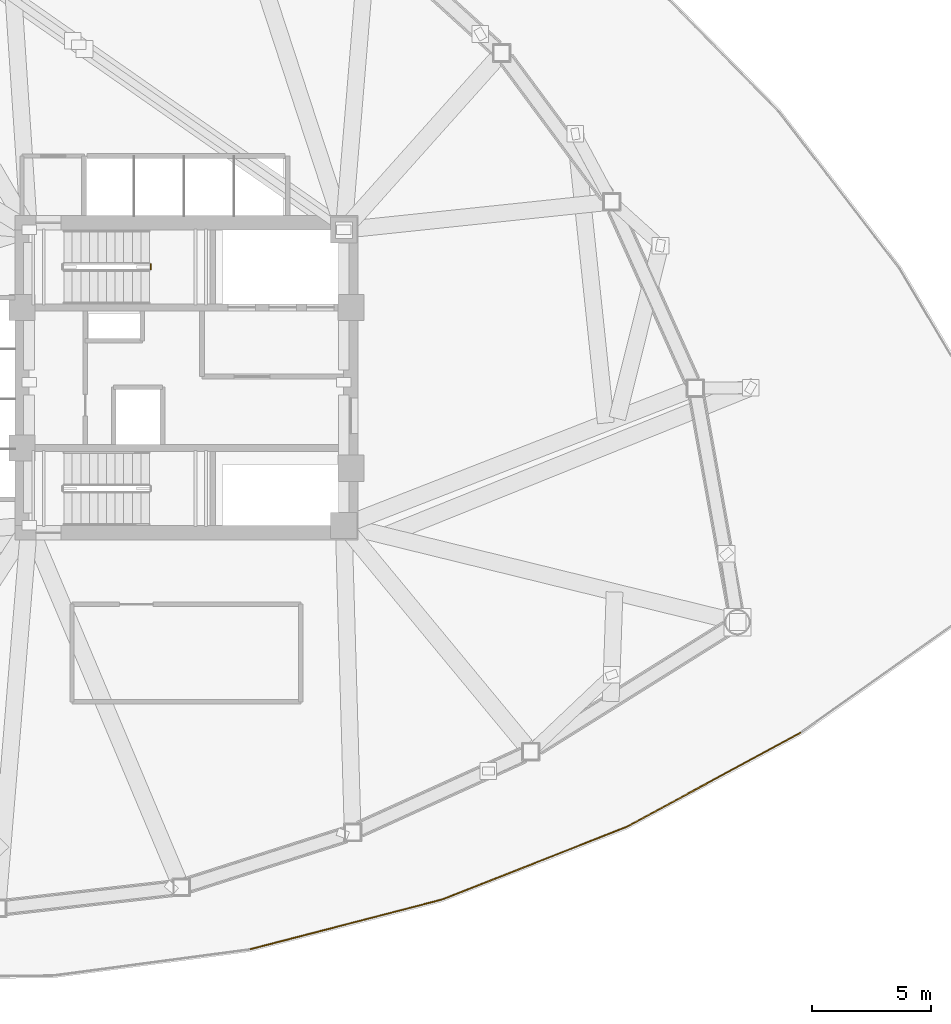
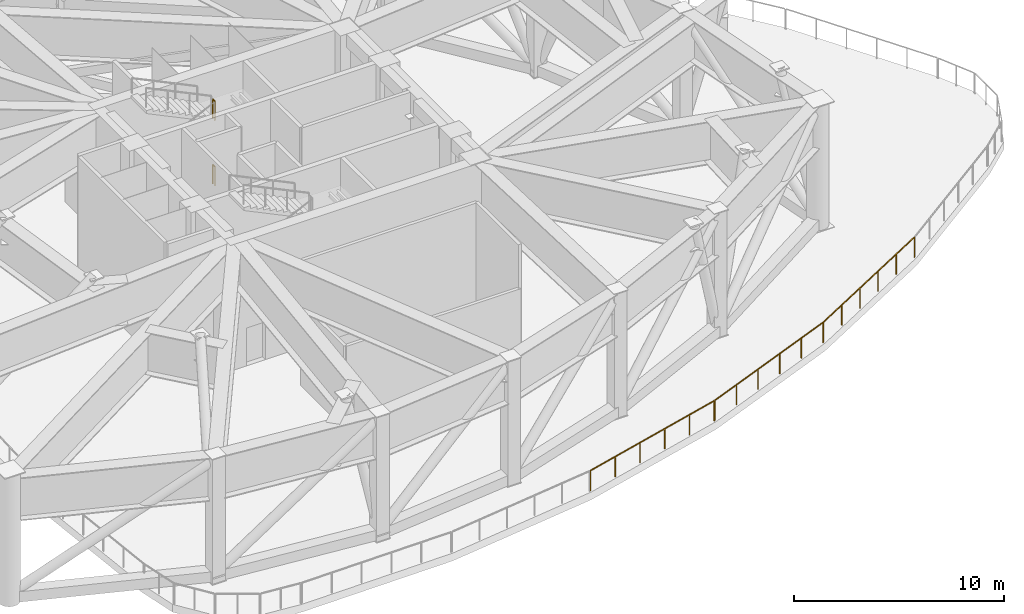
# One storey, part 7 of 8: 5 railings.
"""IFC4 building model written with IfcOpenShell, lengths in metres."""

from ifc_helpers import new_model, si_unit, direction, frame, origin, origin_2d, place, context, subcontext, project, spatial, rectangle, extrude, material, type_object, element, save


model = new_model("IFC4")

# Units and contexts
model_context = context("Model", 3, precision=1e-05, world=origin(), true_north=direction((0.0, 1.0)))
body_context = subcontext(model_context, "Body", "Model", "MODEL_VIEW")
ifc_project = project(units=[si_unit("LENGTHUNIT", "METRE"), si_unit("AREAUNIT", "SQUARE_METRE"), si_unit("VOLUMEUNIT", "CUBIC_METRE"), si_unit("PLANEANGLEUNIT", "RADIAN"), si_unit("MASSUNIT", "GRAM", prefix="KILO")], contexts=[model_context])

# Site, building, storey
site_placement = place(None, origin())
site = spatial("IfcSite", under=ifc_project, at=site_placement, CompositionType="ELEMENT")
building_placement = place(site_placement, origin())
building = spatial("IfcBuilding", under=site, at=building_placement, Name="Tavelor Broadcast Tower", CompositionType="ELEMENT")
storey_placement = place(building_placement, frame((0.0, 0.0, 102.800048828125)))
storey = spatial("IfcBuildingStorey", under=building, at=storey_placement, Name="L24", CompositionType="ELEMENT", Elevation=102.800048828125)

# Railings
ifc_material = material(Name="Steel S355", Category="steel")
railing_type_1 = type_object("IfcRailingType", Name="Open Wind Floor Perimeter Safety Guardrail 1200 mm", PredefinedType="GUARDRAIL", material=ifc_material)
railing_1_placement = place(storey_placement, frame((75.743896484375, 30.09375, 0.0)))
element("IfcRailing", 1, at=railing_1_placement, inside=storey, type_object=railing_type_1, Name="L24 Open Wind Floor Perimeter Guardrail 12", PredefinedType="GUARDRAIL", context=body_context, shape_type="SweptSolid", body=[
    extrude(rectangle(XDim=0.048095703125, YDim=0.048095703125, at=origin_2d()), frame((0.0, 0.0, 1.17578125), z_axis=(-0.879439982096, -0.4760097876, 0.0), x_axis=(0.4760097876, -0.879439982096, 0.0)), (0.0, 0.0, 1.0), 8.258056640625),
    extrude(rectangle(XDim=0.0419921875, YDim=0.0419921875, at=origin_2d()), origin(), (0.0, 0.0, 1.0), 1.15185546875),
    extrude(rectangle(XDim=0.0419921875, YDim=0.0419921875, at=origin_2d()), frame((-1.452392578125, -0.7861328125, 0.0)), (0.0, 0.0, 1.0), 1.15185546875),
    extrude(rectangle(XDim=0.0419921875, YDim=0.0419921875, at=origin_2d()), frame((-2.905029296875, -1.572265625, 0.0)), (0.0, 0.0, 1.0), 1.15185546875),
    extrude(rectangle(XDim=0.0419921875, YDim=0.0419921875, at=origin_2d()), frame((-4.357421875, -2.358642578125, 0.0)), (0.0, 0.0, 1.0), 1.15185546875),
    extrude(rectangle(XDim=0.0419921875, YDim=0.0419921875, at=origin_2d()), frame((-5.81005859375, -3.144775390625, 0.0)), (0.0, 0.0, 1.0), 1.15185546875),
    extrude(rectangle(XDim=0.0419921875, YDim=0.0419921875, at=origin_2d()), frame((-7.262451171875, -3.930908203125, 0.0)), (0.0, 0.0, 1.0), 1.15185546875),
])
railing_2_placement = place(storey_placement, frame((68.42724609375, 26.1376953125, 0.0)))
element("IfcRailing", 2, at=railing_2_placement, inside=storey, type_object=railing_type_1, Name="L24 Open Wind Floor Perimeter Guardrail 13", PredefinedType="GUARDRAIL", context=body_context, shape_type="SweptSolid", body=[
    extrude(rectangle(XDim=0.048095703125, YDim=0.048095703125, at=origin_2d()), frame((0.0, 0.0, 1.17578125), z_axis=(-0.930576024095, -0.366098707154, 0.0), x_axis=(0.366098707154, -0.930576024095, 0.0)), (0.0, 0.0, 1.0), 8.2578125),
    extrude(rectangle(XDim=0.0419921875, YDim=0.0419921875, at=origin_2d()), origin(), (0.0, 0.0, 1.0), 1.15185546875),
    extrude(rectangle(XDim=0.0419921875, YDim=0.0419921875, at=origin_2d()), frame((-1.536865234375, -0.604736328125, 0.0)), (0.0, 0.0, 1.0), 1.15185546875),
    extrude(rectangle(XDim=0.0419921875, YDim=0.0419921875, at=origin_2d()), frame((-3.07373046875, -1.209228515625, 0.0)), (0.0, 0.0, 1.0), 1.15185546875),
    extrude(rectangle(XDim=0.0419921875, YDim=0.0419921875, at=origin_2d()), frame((-4.61083984375, -1.81396484375, 0.0)), (0.0, 0.0, 1.0), 1.15185546875),
    extrude(rectangle(XDim=0.0419921875, YDim=0.0419921875, at=origin_2d()), frame((-6.147705078125, -2.41845703125, 0.0)), (0.0, 0.0, 1.0), 1.15185546875),
    extrude(rectangle(XDim=0.0419921875, YDim=0.0419921875, at=origin_2d()), frame((-7.6845703125, -3.023193359375, 0.0)), (0.0, 0.0, 1.0), 1.15185546875),
])
railing_3_placement = place(storey_placement, frame((60.685546875, 23.095947265625, 0.0)))
element("IfcRailing", 3, at=railing_3_placement, inside=storey, type_object=railing_type_1, Name="L24 Open Wind Floor Perimeter Guardrail 14", PredefinedType="GUARDRAIL", context=body_context, shape_type="SweptSolid", body=[
    extrude(rectangle(XDim=0.048095703125, YDim=0.048095703125, at=origin_2d()), frame((0.0, 0.0, 1.17578125), z_axis=(-0.968039445362, -0.250797990868, 0.0), x_axis=(0.250797990868, -0.968039445362, 0.0)), (0.0, 0.0, 1.0), 8.2578125),
    extrude(rectangle(XDim=0.0419921875, YDim=0.0419921875, at=origin_2d()), origin(), (0.0, 0.0, 1.0), 1.15185546875),
    extrude(rectangle(XDim=0.0419921875, YDim=0.0419921875, at=origin_2d()), frame((-1.598876953125, -0.414306640625, 0.0)), (0.0, 0.0, 1.0), 1.15185546875),
    extrude(rectangle(XDim=0.0419921875, YDim=0.0419921875, at=origin_2d()), frame((-3.197509765625, -0.828369140625, 0.0)), (0.0, 0.0, 1.0), 1.15185546875),
    extrude(rectangle(XDim=0.0419921875, YDim=0.0419921875, at=origin_2d()), frame((-4.79638671875, -1.24267578125, 0.0)), (0.0, 0.0, 1.0), 1.15185546875),
    extrude(rectangle(XDim=0.0419921875, YDim=0.0419921875, at=origin_2d()), frame((-6.39501953125, -1.65673828125, 0.0)), (0.0, 0.0, 1.0), 1.15185546875),
    extrude(rectangle(XDim=0.0419921875, YDim=0.0419921875, at=origin_2d()), frame((-7.993896484375, -2.071044921875, 0.0)), (0.0, 0.0, 1.0), 1.15185546875),
])
railing_type_2 = type_object("IfcRailingType", Name="Stairwell Steel Safety Guardrail 1150 mm", PredefinedType="GUARDRAIL", material=ifc_material)
for number, where, name in (
    (4, (48.5, 49.550048828125, 1.89990234375), "L24 ST1 stair guard 2"),
    (5, (48.5, 49.550048828125, 5.699951171875), "L24 ST1 stair guard 6"),
):
    element("IfcRailing", number, at=place(storey_placement, frame(where)), inside=storey, type_object=railing_type_2, Name=name, PredefinedType="GUARDRAIL", context=body_context, shape_type="SweptSolid", body=[
        extrude(rectangle(XDim=0.048095703125, YDim=0.048095703125, at=origin_2d()), frame((0.0, 0.0, 1.1259765625), z_axis=(0.0, 1.0, 0.0), x_axis=(-1.0, 0.0, 0.0)), (0.0, 0.0, 1.0), 0.199951171875),
        extrude(rectangle(XDim=0.0419921875, YDim=0.0419921875, at=origin_2d()), origin(), (0.0, 0.0, 1.0), 1.101806640625),
        extrude(rectangle(XDim=0.0419921875, YDim=0.0419921875, at=origin_2d()), frame((0.0, 0.199951171875, 0.0)), (0.0, 0.0, 1.0), 1.101806640625),
    ])

save(model, "model.ifc")
